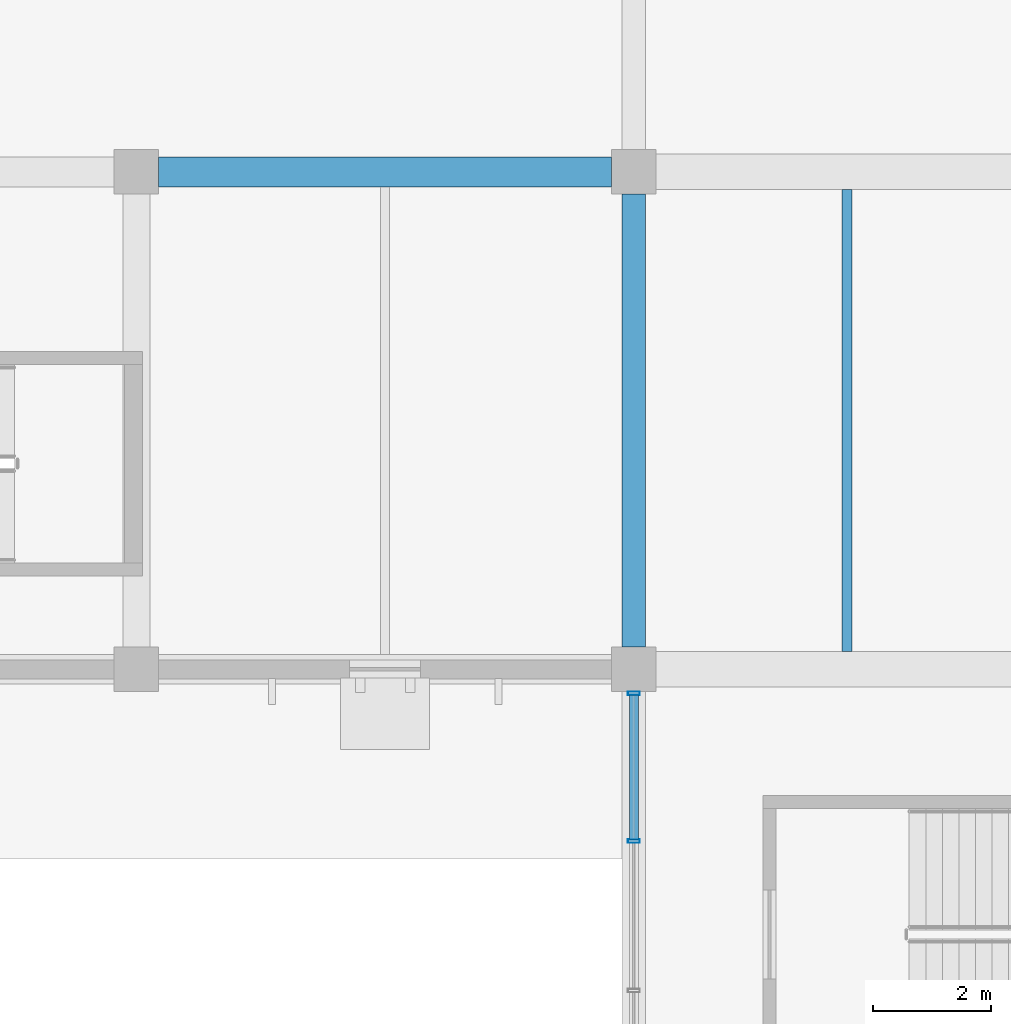
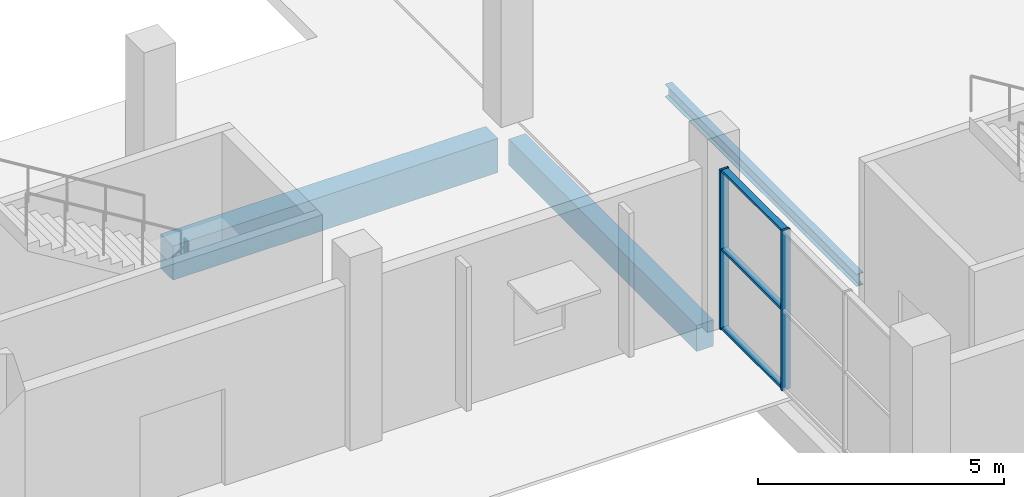
# One storey, part 16 of 130: 5 members, 3 beams, 1 element without a shape of its own.
"""IFC4 building model written with IfcOpenShell, lengths in metres."""

from ifc_helpers import new_model, si_unit, direction, frame, origin, origin_2d, place, context, subcontext, project, spatial, rectangle, hollow_rectangle, i_section, extrude, material, material_profile, profile_set, type_object, element, aggregate, save


model = new_model("IFC4")

# Units and contexts
model_context = context("Model", 3, precision=1e-05, world=origin(), true_north=direction((0.0, 1.0)))
body_context = subcontext(model_context, "Body", "Model", "MODEL_VIEW")
ifc_project = project(units=[si_unit("LENGTHUNIT", "METRE"), si_unit("AREAUNIT", "SQUARE_METRE"), si_unit("VOLUMEUNIT", "CUBIC_METRE"), si_unit("PLANEANGLEUNIT", "RADIAN"), si_unit("MASSUNIT", "GRAM", prefix="KILO"), si_unit("THERMODYNAMICTEMPERATUREUNIT", "KELVIN")], contexts=[model_context])

# Site, building, storey
site_placement = place(None, origin())
site = spatial("IfcSite", under=ifc_project, at=site_placement, CompositionType="ELEMENT")
building_placement = place(site_placement, origin())
building = spatial("IfcBuilding", under=site, at=building_placement, Name="Nduvali Passage Aquatics Centre", CompositionType="ELEMENT")
storey_placement = place(building_placement, origin())
storey = spatial("IfcBuildingStorey", under=building, at=storey_placement, Name="L00", CompositionType="ELEMENT", Elevation=0.0)

# Curtain wall, members
ifc_material_1 = material(Name="Aluminium EN AW-6063 T6", Category="aluminium")
curtain_wall_type = type_object("IfcCurtainWallType", Name="ENV-CW-HALL", PredefinedType="NOTDEFINED", material=ifc_material_1)
curtain_wall_placement = place(storey_placement, origin())
curtain_wall = element("IfcCurtainWall", 1, at=curtain_wall_placement, inside=storey, type_object=curtain_wall_type, Name="L00 West Pool Hall Lower Glazing 001", PredefinedType="NOTDEFINED")
ifc_material_profile_1 = material_profile(ifc_material_1, hollow_rectangle(XDim=0.06005859375, YDim=0.199951171875, WallThickness=0.00390625, at=origin_2d()), Name="ALU MULLION 60x200x4")
ifc_profile_set_1 = profile_set([ifc_material_profile_1], Name="Aluminium EN AW-6063 T6")
member_type_1 = type_object("IfcMemberType", Name="ENV-MEM-MUL80", PredefinedType="MULLION", material=ifc_profile_set_1)
member_1_placement = place(storey_placement, frame((25.199951171875, 30.699951171875, 0.0), z_axis=(0.0, 0.0, 1.0), x_axis=(0.0, 1.0, 0.0)))
member_1 = element("IfcMember", 2, at=member_1_placement, type_object=member_type_1, Name="West Pool Hall Lower Glazing Mullion 3", PredefinedType="MULLION", context=body_context, shape_type="SweptSolid", body=[
    extrude(hollow_rectangle(XDim=0.06005859375, YDim=0.199951171875, WallThickness=0.00390625, at=origin_2d()), origin(), (0.0, 0.0, 1.0), 3.976318359375),
])
member_2_placement = place(storey_placement, frame((25.199951171875, 33.195068359375, 0.0), z_axis=(0.0, 0.0, 1.0), x_axis=(0.0, 1.0, 0.0)))
member_2 = element("IfcMember", 3, at=member_2_placement, type_object=member_type_1, Name="West Pool Hall Lower Glazing Mullion 4", PredefinedType="MULLION", context=body_context, shape_type="SweptSolid", body=[
    extrude(hollow_rectangle(XDim=0.06005859375, YDim=0.199951171875, WallThickness=0.00390625, at=origin_2d()), origin(), (0.0, 0.0, 1.0), 3.976318359375),
])
ifc_material_profile_2 = material_profile(ifc_material_1, hollow_rectangle(XDim=0.14990234375, YDim=0.06005859375, WallThickness=0.00390625, at=origin_2d()), Name="ALU TRANSOM 150x60x4")
ifc_profile_set_2 = profile_set([ifc_material_profile_2], Name="Aluminium EN AW-6063 T6")
member_type_2 = type_object("IfcMemberType", Name="ENV-MEM-TRN80", PredefinedType="USERDEFINED", material=ifc_profile_set_2)
member_3_placement = place(storey_placement, frame((25.199951171875, 30.72998046875, 0.030029296875), z_axis=(0.0, 1.0, 0.0), x_axis=(-1.0, 0.0, 0.0)))
member_3 = element("IfcMember", 4, at=member_3_placement, type_object=member_type_2, Name="West Pool Hall Lower Glazing Transom B3-R0", ObjectType="TRANSOM", PredefinedType="USERDEFINED", context=body_context, shape_type="SweptSolid", body=[
    extrude(hollow_rectangle(XDim=0.14990234375, YDim=0.06005859375, WallThickness=0.00390625, at=origin_2d()), origin(), (0.0, 0.0, 1.0), 2.43505859375),
])
member_4_placement = place(storey_placement, frame((25.199951171875, 30.72998046875, 1.98828125), z_axis=(0.0, 1.0, 0.0), x_axis=(-1.0, 0.0, 0.0)))
member_4 = element("IfcMember", 5, at=member_4_placement, type_object=member_type_2, Name="West Pool Hall Lower Glazing Transom B3-R1", ObjectType="TRANSOM", PredefinedType="USERDEFINED", context=body_context, shape_type="SweptSolid", body=[
    extrude(hollow_rectangle(XDim=0.14990234375, YDim=0.06005859375, WallThickness=0.00390625, at=origin_2d()), origin(), (0.0, 0.0, 1.0), 2.43505859375),
])
member_5_placement = place(storey_placement, frame((25.199951171875, 30.72998046875, 3.9462890625), z_axis=(0.0, 1.0, 0.0), x_axis=(-1.0, 0.0, 0.0)))
member_5 = element("IfcMember", 6, at=member_5_placement, type_object=member_type_2, Name="West Pool Hall Lower Glazing Transom B3-R2", ObjectType="TRANSOM", PredefinedType="USERDEFINED", context=body_context, shape_type="SweptSolid", body=[
    extrude(hollow_rectangle(XDim=0.14990234375, YDim=0.06005859375, WallThickness=0.00390625, at=origin_2d()), origin(), (0.0, 0.0, 1.0), 2.43505859375),
])
aggregate(curtain_wall, [member_1, member_2, member_3, member_4, member_5])

# Beams
ifc_material_2 = material(Name="Concrete C40/50", Category="concrete")
ifc_material_profile_3 = material_profile(ifc_material_2, rectangle(XDim=0.5, YDim=0.85009765625, at=origin_2d()), Name="RC 500x850")
ifc_profile_set_3 = profile_set([ifc_material_profile_3], Name="Concrete C40/50")
beam_type_1 = type_object("IfcBeamType", Name="STR-BM-RC5085", PredefinedType="BEAM", material=ifc_profile_set_3)
beam_1_placement = place(storey_placement, frame((17.175048828125, 42.0, -0.764892578125), z_axis=(1.0, 0.0, 0.0), x_axis=(0.0, 1.0, 0.0)))
element("IfcBeam", 7, at=beam_1_placement, inside=storey, type_object=beam_type_1, Name="L00 Primary X-Girder B2-0040", PredefinedType="BEAM", context=body_context, shape_type="SweptSolid", body=[
    extrude(rectangle(XDim=0.5, YDim=0.85009765625, at=origin_2d()), origin(), (0.0, 0.0, 1.0), 7.64990234375),
])
ifc_material_3 = material(Name="Steel S355", Category="steel")
ifc_material_profile_4 = material_profile(ifc_material_3, i_section(OverallWidth=0.165771484375, OverallDepth=0.306640625, WebThickness=0.006591796875, FlangeThickness=0.01171875, FilletRadius=0.0087890625, at=origin_2d()), Name="UKB 305x165x46")
ifc_profile_set_4 = profile_set([ifc_material_profile_4], Name="Steel S355")
beam_type_2 = type_object("IfcBeamType", Name="STR-JST-UKB305", PredefinedType="JOIST", material=ifc_profile_set_4)
beam_2_placement = place(storey_placement, frame((28.800048828125, 33.89990234375, -0.477294921875), z_axis=(0.0, 1.0, 0.0), x_axis=(-1.0, 0.0, 0.0)))
element("IfcBeam", 8, at=beam_2_placement, inside=storey, type_object=beam_type_2, Name="L00 Secondary Joist J3-0308", PredefinedType="JOIST", context=body_context, shape_type="SweptSolid", body=[
    extrude(i_section(OverallWidth=0.165771484375, OverallDepth=0.306640625, WebThickness=0.006591796875, FlangeThickness=0.01171875, FilletRadius=0.0087890625, at=origin_2d()), origin(), (0.0, 0.0, 1.0), 7.800048828125),
])
ifc_material_profile_5 = material_profile(ifc_material_2, rectangle(XDim=0.39990234375, YDim=0.64990234375, at=origin_2d()), Name="RC 400x650")
ifc_profile_set_5 = profile_set([ifc_material_profile_5], Name="Concrete C40/50")
beam_type_3 = type_object("IfcBeamType", Name="STR-SPN-RC4065-EXT", PredefinedType="SPANDREL", material=ifc_profile_set_5)
beam_3_placement = place(storey_placement, frame((25.199951171875, 33.97509765625, -0.6650390625), z_axis=(0.0, 1.0, 0.0), x_axis=(-1.0, 0.0, 0.0)))
element("IfcBeam", 9, at=beam_3_placement, inside=storey, type_object=beam_type_3, Name="L00 Primary Y-Girder SP1E-0124", PredefinedType="SPANDREL", context=body_context, shape_type="SweptSolid", body=[
    extrude(rectangle(XDim=0.39990234375, YDim=0.64990234375, at=origin_2d()), origin(), (0.0, 0.0, 1.0), 7.64990234375),
])

save(model, "model.ifc")
